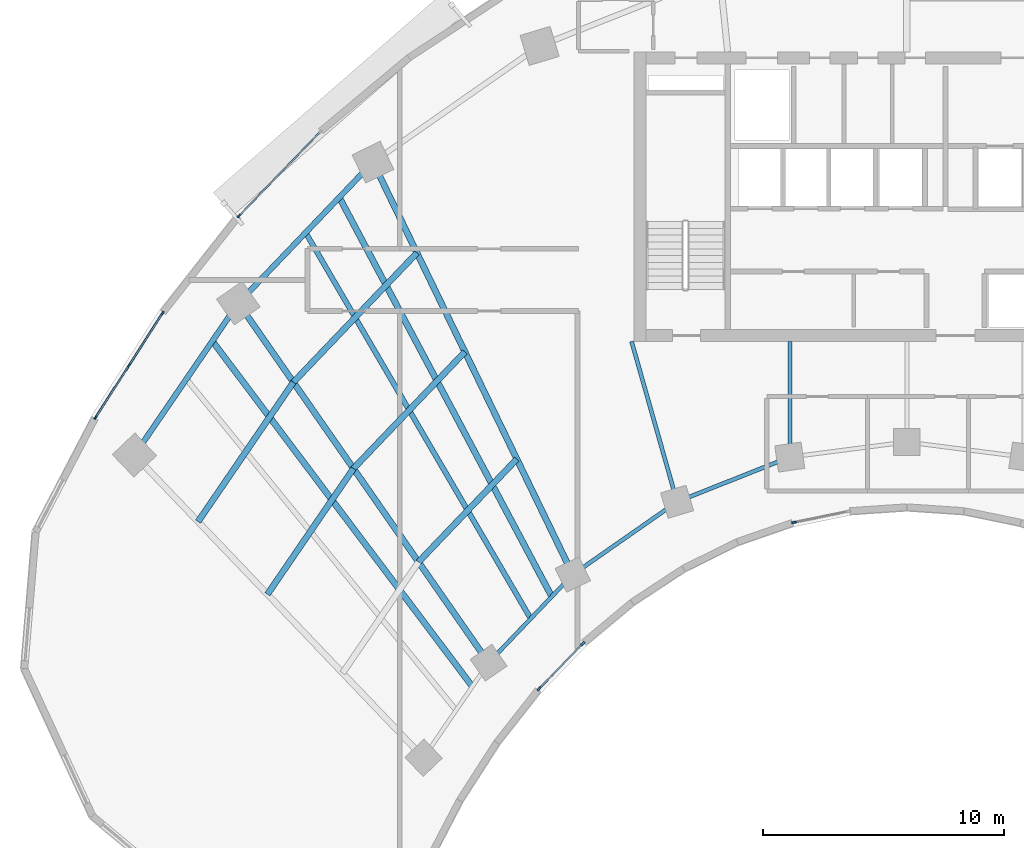
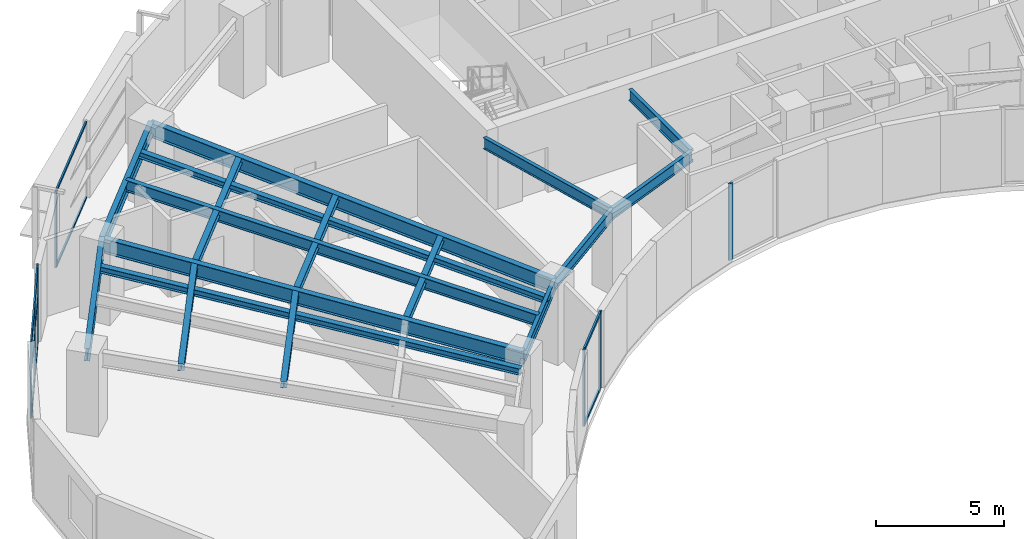
# One storey, part 2 of 14: 17 beams, 17 members, 4 elements without a shape of their own.
"""IFC4 building model written with IfcOpenShell, lengths in metres."""

from ifc_helpers import new_model, si_unit, direction, frame, origin, origin_2d, place, context, subcontext, project, spatial, rectangle, i_section, extrude, source, transform, mapped, material, layer, layer_set, material_profile, profile_set, type_object, type_shapes, element, aggregate, save


model = new_model("IFC4")

# Units and contexts
model_context = context("Model", 3, precision=1e-05, world=origin(), true_north=direction((0.0, 1.0)))
body_context = subcontext(model_context, "Body", "Model", "MODEL_VIEW")
ifc_project = project(units=[si_unit("LENGTHUNIT", "METRE"), si_unit("AREAUNIT", "SQUARE_METRE"), si_unit("VOLUMEUNIT", "CUBIC_METRE"), si_unit("PLANEANGLEUNIT", "RADIAN"), si_unit("MASSUNIT", "GRAM", prefix="KILO")], contexts=[model_context])

# Site, building, storey
site_placement = place(None, origin())
site = spatial("IfcSite", under=ifc_project, at=site_placement, CompositionType="ELEMENT")
building_placement = place(site_placement, origin())
building = spatial("IfcBuilding", under=site, at=building_placement, Name="Breltana Convention Tower", CompositionType="ELEMENT")
storey_placement = place(building_placement, frame((0.0, 0.0, 111.60009765625)))
storey = spatial("IfcBuildingStorey", under=building, at=storey_placement, Name="L26", CompositionType="ELEMENT", Elevation=111.60009765625)

# Beams
ifc_material_1 = material(Name="Steel ASTM A992 Grade 50", Category="steel")
ifc_material_profile_1 = material_profile(ifc_material_1, i_section(OverallWidth=0.25390625, OverallDepth=0.68798828125, WebThickness=0.01318359375, FlangeThickness=0.02099609375, at=origin_2d()), Name="W27X102")
ifc_profile_set_1 = profile_set([ifc_material_profile_1], Name="Steel ASTM A992 Grade 50")
beam_type_1 = type_object("IfcBeamType", Name="BM-RG-W27X102", PredefinedType="USERDEFINED", material=ifc_profile_set_1)
shared_shape_1 = source(origin(), body_context, "Body", "SweptSolid", [
    extrude(i_section(OverallWidth=0.25390625, OverallDepth=0.68798828125, WebThickness=0.01318359375, FlangeThickness=0.02099609375, at=origin_2d()), origin(), (0.0, 0.0, 1.0), 18.1484375),
])
beam_1_placement = place(storey_placement, frame((30.67724609375, 46.892333984375, 3.305908203125), z_axis=(-0.571207556098, 0.820805657788, 0.0), x_axis=(-0.820805657788, -0.571207556098, 0.0)))
element("IfcBeam", 1, at=beam_1_placement, inside=storey, type_object=beam_type_1, Name="L26 Radial Floor Girder R02", ObjectType="GIRDER", PredefinedType="USERDEFINED", context=body_context, shape_type="MappedRepresentation", body=[
    mapped(shared_shape_1, transform((0.0, 0.0, 0.0), scale=1.0)),
])
shared_shape_2 = source(origin(), body_context, "Body", "SweptSolid", [
    extrude(i_section(OverallWidth=0.25390625, OverallDepth=0.68798828125, WebThickness=0.01318359375, FlangeThickness=0.02099609375, at=origin_2d()), origin(), (0.0, 0.0, 1.0), 18.982421875),
])
beam_2_placement = place(storey_placement, frame((34.166259765625, 50.544921875, 3.305908203125), z_axis=(-0.436118560343, 0.89988921614, 0.0), x_axis=(-0.89988921614, -0.436118560343, 0.0)))
element("IfcBeam", 2, at=beam_2_placement, inside=storey, type_object=beam_type_1, Name="L26 Radial Floor Girder R03", ObjectType="GIRDER", PredefinedType="USERDEFINED", context=body_context, shape_type="MappedRepresentation", body=[
    mapped(shared_shape_2, transform((0.0, 0.0, 0.0), scale=1.0)),
])
ifc_material_profile_2 = material_profile(ifc_material_1, i_section(OverallWidth=0.166015625, OverallDepth=0.534912109375, WebThickness=0.01025390625, FlangeThickness=0.0166015625, at=origin_2d()), Name="W21X57")
ifc_profile_set_2 = profile_set([ifc_material_profile_2], Name="Steel ASTM A992 Grade 50")
beam_type_2 = type_object("IfcBeamType", Name="BM-BM-W21X57", PredefinedType="BEAM", material=ifc_profile_set_2)
shared_shape_3 = source(origin(), body_context, "Body", "SweptSolid", [
    extrude(i_section(OverallWidth=0.166015625, OverallDepth=0.534912109375, WebThickness=0.01025390625, FlangeThickness=0.0166015625, at=origin_2d()), origin(), (0.0, 0.0, 1.0), 6.904541015625),
])
type_shapes(beam_type_2, [shared_shape_3])
beam_3_placement = place(storey_placement, frame((36.60009765625, 60.199951171875, 3.38232421875), z_axis=(0.273006781054, -0.962012108811, 0.0), x_axis=(0.962012108811, 0.273006781054, 0.0)))
element("IfcBeam", 3, at=beam_3_placement, inside=storey, type_object=beam_type_2, Name="L26 South Core Tie Girder R04", PredefinedType="BEAM", context=body_context, shape_type="MappedRepresentation", body=[
    mapped(shared_shape_3, transform((0.0, 0.0, 0.0), scale=1.0)),
])
shared_shape_4 = source(origin(), body_context, "Body", "SweptSolid", [
    extrude(i_section(OverallWidth=0.166015625, OverallDepth=0.534912109375, WebThickness=0.01025390625, FlangeThickness=0.0166015625, at=origin_2d()), origin(), (0.0, 0.0, 1.0), 4.789306640625),
])
beam_4_placement = place(storey_placement, frame((43.153564453125, 60.199951171875, 3.38232421875), z_axis=(0.0, -1.0, 0.0), x_axis=(1.0, 0.0, 0.0)))
element("IfcBeam", 4, at=beam_4_placement, inside=storey, type_object=beam_type_2, Name="L26 South Core Tie Girder R05", PredefinedType="BEAM", context=body_context, shape_type="MappedRepresentation", body=[
    mapped(shared_shape_4, transform((0.0, 0.0, 0.0), scale=1.0)),
])
ifc_material_profile_3 = material_profile(ifc_material_1, i_section(OverallWidth=0.22802734375, OverallDepth=0.60791015625, WebThickness=0.01123046875, FlangeThickness=0.017333984375, at=origin_2d()), Name="W24X76")
ifc_profile_set_3 = profile_set([ifc_material_profile_3], Name="Steel ASTM A992 Grade 50")
beam_type_3 = type_object("IfcBeamType", Name="BM-SP-W24X76", PredefinedType="SPANDREL", material=ifc_profile_set_3)
shared_shape_5 = source(origin(), body_context, "Body", "SweptSolid", [
    extrude(i_section(OverallWidth=0.22802734375, OverallDepth=0.60791015625, WebThickness=0.01123046875, FlangeThickness=0.017333984375, at=origin_2d()), origin(), (0.0, 0.0, 1.0), 7.625),
])
type_shapes(beam_type_3, [shared_shape_5])
beam_5_placement = place(storey_placement, frame((16.0068359375, 55.494384765625, 3.345947265625), z_axis=(0.564452031902, 0.825465870694, 0.0), x_axis=(-0.825465870694, 0.564452031902, 0.0)))
element("IfcBeam", 5, at=beam_5_placement, inside=storey, type_object=beam_type_3, Name="L26 Outer Spandrel Beam 01", PredefinedType="SPANDREL", context=body_context, shape_type="MappedRepresentation", body=[
    mapped(shared_shape_5, transform((0.0, 0.0, 0.0), scale=1.0)),
])
shared_shape_6 = source(origin(), body_context, "Body", "SweptSolid", [
    extrude(i_section(OverallWidth=0.166015625, OverallDepth=0.534912109375, WebThickness=0.01025390625, FlangeThickness=0.0166015625, at=origin_2d()), origin(), (0.0, 0.0, 1.0), 5.05126953125),
])
beam_6_placement = place(storey_placement, frame((30.67724609375, 46.892333984375, 3.38232421875), z_axis=(0.690729753845, 0.7231129975, 0.0), x_axis=(-0.7231129975, 0.690729753845, 0.0)))
element("IfcBeam", 6, at=beam_6_placement, inside=storey, type_object=beam_type_2, Name="L26 Inner Ring Beam 02", PredefinedType="BEAM", context=body_context, shape_type="MappedRepresentation", body=[
    mapped(shared_shape_6, transform((0.0, 0.0, 0.0), scale=1.0)),
])
shared_shape_7 = source(origin(), body_context, "Body", "SweptSolid", [
    extrude(i_section(OverallWidth=0.22802734375, OverallDepth=0.60791015625, WebThickness=0.01123046875, FlangeThickness=0.017333984375, at=origin_2d()), origin(), (0.0, 0.0, 1.0), 8.073974609375),
])
beam_7_placement = place(storey_placement, frame((20.310791015625, 61.78857421875, 3.345947265625), z_axis=(0.69072885448, 0.723113856588, 0.0), x_axis=(-0.723113856588, 0.69072885448, 0.0)))
element("IfcBeam", 7, at=beam_7_placement, inside=storey, type_object=beam_type_3, Name="L26 Outer Spandrel Beam 02", PredefinedType="SPANDREL", context=body_context, shape_type="MappedRepresentation", body=[
    mapped(shared_shape_7, transform((0.0, 0.0, 0.0), scale=1.0)),
])
shared_shape_8 = source(origin(), body_context, "Body", "SweptSolid", [
    extrude(i_section(OverallWidth=0.166015625, OverallDepth=0.534912109375, WebThickness=0.01025390625, FlangeThickness=0.0166015625, at=origin_2d()), origin(), (0.0, 0.0, 1.0), 5.265869140625),
])
beam_8_placement = place(storey_placement, frame((34.166259765625, 50.544921875, 3.38232421875), z_axis=(0.820167429517, 0.572123577176, 0.0), x_axis=(-0.572123577176, 0.820167429517, 0.0)))
element("IfcBeam", 8, at=beam_8_placement, inside=storey, type_object=beam_type_2, Name="L26 Inner Ring Beam 03", PredefinedType="BEAM", context=body_context, shape_type="MappedRepresentation", body=[
    mapped(shared_shape_8, transform((0.0, 0.0, 0.0), scale=1.0)),
])
shared_shape_9 = source(origin(), body_context, "Body", "SweptSolid", [
    extrude(i_section(OverallWidth=0.166015625, OverallDepth=0.534912109375, WebThickness=0.01025390625, FlangeThickness=0.0166015625, at=origin_2d()), origin(), (0.0, 0.0, 1.0), 5.022705078125),
])
beam_9_placement = place(storey_placement, frame((38.485107421875, 53.5576171875, 3.38232421875), z_axis=(0.929458966248, 0.368925507469, 0.0), x_axis=(-0.368925507469, 0.929458966248, 0.0)))
element("IfcBeam", 9, at=beam_9_placement, inside=storey, type_object=beam_type_2, Name="L26 Inner Ring Beam 04", PredefinedType="BEAM", context=body_context, shape_type="MappedRepresentation", body=[
    mapped(shared_shape_9, transform((0.0, 0.0, 0.0), scale=1.0)),
])
ifc_material_profile_4 = material_profile(ifc_material_1, i_section(OverallWidth=0.25390625, OverallDepth=0.305908203125, WebThickness=0.0087890625, FlangeThickness=0.0146484375, at=origin_2d()), Name="W12X53")
ifc_profile_set_4 = profile_set([ifc_material_profile_4], Name="Steel ASTM A992 Grade 50")
beam_type_4 = type_object("IfcBeamType", Name="BM-JSG-10", PredefinedType="JOIST", material=ifc_profile_set_4)
shared_shape_10 = source(origin(), body_context, "Body", "SweptSolid", [
    extrude(i_section(OverallWidth=0.25390625, OverallDepth=0.305908203125, WebThickness=0.0087890625, FlangeThickness=0.0146484375, at=origin_2d()), origin(), (0.0, 0.0, 1.0), 6.311767578125),
])
beam_10_placement = place(storey_placement, frame((21.5166015625, 49.72607421875, 3.496826171875), z_axis=(0.564453712577, 0.825464721449, 0.0), x_axis=(-0.825464721449, 0.564453712577, 0.0)))
element("IfcBeam", 10, at=beam_10_placement, inside=storey, type_object=beam_type_4, Name="L26 Composite Floor Joist 01.2", PredefinedType="JOIST", context=body_context, shape_type="MappedRepresentation", body=[
    mapped(shared_shape_10, transform((0.0, 0.0, 0.0), scale=1.0)),
])
shared_shape_11 = source(origin(), body_context, "Body", "SweptSolid", [
    extrude(i_section(OverallWidth=0.25390625, OverallDepth=0.305908203125, WebThickness=0.0087890625, FlangeThickness=0.0146484375, at=origin_2d()), origin(), (0.0, 0.0, 1.0), 6.997314453125),
])
beam_11_placement = place(storey_placement, frame((18.641845703125, 52.735595703125, 3.496826171875), z_axis=(0.564468756361, 0.825454434292, 0.0), x_axis=(-0.825454434292, 0.564468756361, 0.0)))
element("IfcBeam", 11, at=beam_11_placement, inside=storey, type_object=beam_type_4, Name="L26 Composite Floor Joist 01.3", PredefinedType="JOIST", context=body_context, shape_type="MappedRepresentation", body=[
    mapped(shared_shape_11, transform((0.0, 0.0, 0.0), scale=1.0)),
])
shared_shape_12 = source(origin(), body_context, "Body", "SweptSolid", [
    extrude(i_section(OverallWidth=0.25390625, OverallDepth=0.305908203125, WebThickness=0.0087890625, FlangeThickness=0.0146484375, at=origin_2d()), origin(), (0.0, 0.0, 1.0), 17.9072265625),
])
beam_12_placement = place(storey_placement, frame((30.00390625, 45.907958984375, 3.496826171875), z_axis=(-0.601382105028, 0.798961553363, 0.0), x_axis=(-0.798961553363, -0.601382105028, 0.0)))
element("IfcBeam", 12, at=beam_12_placement, inside=storey, type_object=beam_type_4, Name="L26 Quarter-Bay Radial Trimmer 01", PredefinedType="JOIST", context=body_context, shape_type="MappedRepresentation", body=[
    mapped(shared_shape_12, transform((0.0, 0.0, 0.0), scale=1.0)),
])
shared_shape_13 = source(origin(), body_context, "Body", "SweptSolid", [
    extrude(i_section(OverallWidth=0.25390625, OverallDepth=0.305908203125, WebThickness=0.0087890625, FlangeThickness=0.0146484375, at=origin_2d()), origin(), (0.0, 0.0, 1.0), 5.8974609375),
])
beam_13_placement = place(storey_placement, frame((27.774658203125, 51.063232421875, 3.496826171875), z_axis=(0.690713978666, 0.723128065888, 0.0), x_axis=(-0.723128065888, 0.690713978666, 0.0)))
element("IfcBeam", 13, at=beam_13_placement, inside=storey, type_object=beam_type_4, Name="L26 Composite Floor Joist 02.1", PredefinedType="JOIST", context=body_context, shape_type="MappedRepresentation", body=[
    mapped(shared_shape_13, transform((0.0, 0.0, 0.0), scale=1.0)),
])
shared_shape_14 = source(origin(), body_context, "Body", "SweptSolid", [
    extrude(i_section(OverallWidth=0.25390625, OverallDepth=0.305908203125, WebThickness=0.0087890625, FlangeThickness=0.0146484375, at=origin_2d()), origin(), (0.0, 0.0, 1.0), 6.68359375),
])
beam_14_placement = place(storey_placement, frame((25.079345703125, 54.936279296875, 3.496826171875), z_axis=(0.690720705885, 0.723121640156, 0.0), x_axis=(-0.723121640156, 0.690720705885, 0.0)))
element("IfcBeam", 14, at=beam_14_placement, inside=storey, type_object=beam_type_4, Name="L26 Composite Floor Joist 02.2", PredefinedType="JOIST", context=body_context, shape_type="MappedRepresentation", body=[
    mapped(shared_shape_14, transform((0.0, 0.0, 0.0), scale=1.0)),
])
shared_shape_15 = source(origin(), body_context, "Body", "SweptSolid", [
    extrude(i_section(OverallWidth=0.25390625, OverallDepth=0.305908203125, WebThickness=0.0087890625, FlangeThickness=0.0146484375, at=origin_2d()), origin(), (0.0, 0.0, 1.0), 7.40869140625),
])
beam_15_placement = place(storey_placement, frame((22.591552734375, 58.511474609375, 3.496826171875), z_axis=(0.690724936208, 0.723117599358, 0.0), x_axis=(-0.723117599358, 0.690724936208, 0.0)))
element("IfcBeam", 15, at=beam_15_placement, inside=storey, type_object=beam_type_4, Name="L26 Composite Floor Joist 02.3", PredefinedType="JOIST", context=body_context, shape_type="MappedRepresentation", body=[
    mapped(shared_shape_15, transform((0.0, 0.0, 0.0), scale=1.0)),
])
ifc_material_profile_5 = material_profile(ifc_material_1, i_section(OverallWidth=0.214111328125, OverallDepth=0.549072265625, WebThickness=0.0146484375, FlangeThickness=0.023681640625, at=origin_2d()), Name="W21X93")
ifc_profile_set_5 = profile_set([ifc_material_profile_5], Name="Steel ASTM A992 Grade 50")
beam_type_5 = type_object("IfcBeamType", Name="BM-JSG-03", PredefinedType="JOIST", material=ifc_profile_set_5)
shared_shape_16 = source(origin(), body_context, "Body", "SweptSolid", [
    extrude(i_section(OverallWidth=0.214111328125, OverallDepth=0.549072265625, WebThickness=0.0146484375, FlangeThickness=0.023681640625, at=origin_2d()), origin(), (0.0, 0.0, 1.0), 18.50830078125),
])
beam_16_placement = place(storey_placement, frame((32.421630859375, 48.71875, 3.37548828125), z_axis=(-0.50368319637, 0.863888440537, 0.0), x_axis=(-0.863888440537, -0.50368319637, 0.0)))
element("IfcBeam", 16, at=beam_16_placement, inside=storey, type_object=beam_type_5, Name="L26 Mid-Bay Radial Trimmer 02", PredefinedType="JOIST", context=body_context, shape_type="MappedRepresentation", body=[
    mapped(shared_shape_16, transform((0.0, 0.0, 0.0), scale=1.0)),
])
shared_shape_17 = source(origin(), body_context, "Body", "SweptSolid", [
    extrude(i_section(OverallWidth=0.25390625, OverallDepth=0.305908203125, WebThickness=0.0087890625, FlangeThickness=0.0146484375, at=origin_2d()), origin(), (0.0, 0.0, 1.0), 18.731689453125),
])
beam_17_placement = place(storey_placement, frame((33.2939453125, 49.6318359375, 3.496826171875), z_axis=(-0.469820250451, 0.882762104004, 0.0), x_axis=(-0.882762104004, -0.469820250451, 0.0)))
element("IfcBeam", 17, at=beam_17_placement, inside=storey, type_object=beam_type_4, Name="L26 Quarter-Bay Radial Trimmer 02", PredefinedType="JOIST", context=body_context, shape_type="MappedRepresentation", body=[
    mapped(shared_shape_17, transform((0.0, 0.0, 0.0), scale=1.0)),
])

# Curtain wall, members
ifc_material_2 = material(Name="Aluminium Anodised Bronze Frame", Category="aluminium")
ifc_layer_1 = layer(ifc_material_2, 0.18994140625, Name="Aluminium Anodised Bronze Frame")
ifc_layer_set_1 = layer_set([ifc_layer_1], Name="Aluminium Anodised Bronze Frame")
curtain_wall_type_1 = type_object("IfcCurtainWallType", Name="CW-SYS-1", PredefinedType="NOTDEFINED", material=ifc_layer_set_1)
curtain_wall_1_placement = place(storey_placement, origin())
curtain_wall_1 = element("IfcCurtainWall", 18, at=curtain_wall_1_placement, inside=storey, type_object=curtain_wall_type_1, Name="L26 inner south-court glazing 5", PredefinedType="NOTDEFINED")
ifc_material_3 = material(Name="Aluminium Anodised Bronze", Category="aluminium")
ifc_material_profile_6 = material_profile(ifc_material_3, rectangle(XDim=0.080078125, YDim=0.139892578125, at=origin_2d()), Name="CWT-80X140")
ifc_profile_set_6 = profile_set([ifc_material_profile_6], Name="Aluminium Anodised Bronze")
member_type_1 = type_object("IfcMemberType", Name="CWT-140", PredefinedType="USERDEFINED", material=ifc_profile_set_6)
shared_shape_18 = source(origin(), body_context, "Body", "SweptSolid", [
    extrude(rectangle(XDim=0.080078125, YDim=0.139892578125, at=origin_2d()), origin(), (0.0, 0.0, 1.0), 2.519775390625),
])
member_1_placement = place(storey_placement, frame((34.5458984375, 47.650390625, 0.039794921875), z_axis=(-0.694596242791, -0.719399791146, 0.0), x_axis=(0.719399791146, -0.694596242791, 0.0)))
member_1 = element("IfcMember", 19, at=member_1_placement, type_object=member_type_1, Name="CW-01 transom 1.1", ObjectType="TRANSOM", PredefinedType="USERDEFINED", context=body_context, shape_type="MappedRepresentation", body=[
    mapped(shared_shape_18, transform((0.0, 0.0, 0.0), scale=1.0)),
])
member_2_placement = place(storey_placement, frame((34.5458984375, 47.650390625, 3.60986328125), z_axis=(-0.694596242791, -0.719399791146, 0.0), x_axis=(0.719399791146, -0.694596242791, 0.0)))
member_2 = element("IfcMember", 20, at=member_2_placement, type_object=member_type_1, Name="CW-01 transom 1.2", ObjectType="TRANSOM", PredefinedType="USERDEFINED", context=body_context, shape_type="MappedRepresentation", body=[
    mapped(shared_shape_18, transform((0.0, 0.0, 0.0), scale=1.0)),
])

# Curtain wall, member
curtain_wall_2_placement = place(storey_placement, origin())
curtain_wall_2 = element("IfcCurtainWall", 21, at=curtain_wall_2_placement, inside=storey, type_object=curtain_wall_type_1, Name="L26 inner south-court glazing 4", PredefinedType="NOTDEFINED")
ifc_material_profile_7 = material_profile(ifc_material_3, rectangle(XDim=0.080078125, YDim=0.199951171875, at=origin_2d()), Name="CWM-80X200")
ifc_profile_set_7 = profile_set([ifc_material_profile_7], Name="Aluminium Anodised Bronze")
member_type_2 = type_object("IfcMemberType", Name="CWM-200", PredefinedType="MULLION", material=ifc_profile_set_7)
shared_shape_19 = source(origin(), body_context, "Body", "SweptSolid", [
    extrude(rectangle(XDim=0.080078125, YDim=0.199951171875, at=origin_2d()), origin(), (0.0, 0.0, 1.0), 3.64990234375),
])
member_3_placement = place(storey_placement, frame((43.327880859375, 52.703125, 0.0), z_axis=(0.0, 0.0, 1.0), x_axis=(0.200852929183, -0.979621406891, 0.0)))
member_3 = element("IfcMember", 22, at=member_3_placement, type_object=member_type_2, Name="CW-01 mullion 2", PredefinedType="MULLION", context=body_context, shape_type="MappedRepresentation", body=[
    mapped(shared_shape_19, transform((0.0, 0.0, 0.0), scale=1.0)),
])
aggregate(curtain_wall_2, [member_3])

# Member
member_4_placement = place(storey_placement, frame((34.57373046875, 47.67919921875, 0.0), z_axis=(0.0, 0.0, 1.0), x_axis=(0.719387314642, -0.694609164589, 0.0)))
member_4 = element("IfcMember", 23, at=member_4_placement, type_object=member_type_2, Name="CW-01 mullion 1", PredefinedType="MULLION", context=body_context, shape_type="MappedRepresentation", body=[
    mapped(shared_shape_19, transform((0.0, 0.0, 0.0), scale=1.0)),
])

member_5_placement = place(storey_placement, frame((32.767822265625, 45.808837890625, 0.0), z_axis=(0.0, 0.0, 1.0), x_axis=(0.719387314642, -0.694609164589, 0.0)))
member_5 = element("IfcMember", 24, at=member_5_placement, type_object=member_type_2, Name="CW-01 mullion 2", PredefinedType="MULLION", context=body_context, shape_type="MappedRepresentation", body=[
    mapped(shared_shape_19, transform((0.0, 0.0, 0.0), scale=1.0)),
])

aggregate(curtain_wall_1, [member_4, member_5, member_1, member_2])

# Curtain wall, members
ifc_layer_2 = layer(ifc_material_2, 0.22998046875, Name="Aluminium Anodised Bronze Frame")
ifc_layer_set_2 = layer_set([ifc_layer_2], Name="Aluminium Anodised Bronze Frame")
curtain_wall_type_2 = type_object("IfcCurtainWallType", Name="CW-SYS-5", PredefinedType="NOTDEFINED", material=ifc_layer_set_2)
curtain_wall_3_placement = place(storey_placement, origin())
curtain_wall_3 = element("IfcCurtainWall", 25, at=curtain_wall_3_placement, inside=storey, type_object=curtain_wall_type_2, Name="L26 outer double-skin inner glazing 1", PredefinedType="NOTDEFINED")
ifc_material_profile_8 = material_profile(ifc_material_3, rectangle(XDim=0.070068359375, YDim=0.175048828125, at=origin_2d()), Name="CWM-70X175")
ifc_profile_set_8 = profile_set([ifc_material_profile_8], Name="Aluminium Anodised Bronze")
member_type_3 = type_object("IfcMemberType", Name="CWM-175", PredefinedType="MULLION", material=ifc_profile_set_8)
shared_shape_20 = source(origin(), body_context, "Body", "SweptSolid", [
    extrude(rectangle(XDim=0.070068359375, YDim=0.175048828125, at=origin_2d()), origin(), (0.0, 0.0, 1.0), 3.64990234375),
])
member_6_placement = place(storey_placement, frame((14.395751953125, 57.049560546875, 0.0), z_axis=(0.0, 0.0, 1.0), x_axis=(-0.84155155167, 0.540176809834, 0.0)))
member_6 = element("IfcMember", 26, at=member_6_placement, type_object=member_type_3, Name="CW-05 mullion 1", PredefinedType="MULLION", context=body_context, shape_type="MappedRepresentation", body=[
    mapped(shared_shape_20, transform((0.0, 0.0, 0.0), scale=1.0)),
])
member_7_placement = place(storey_placement, frame((15.78271484375, 59.210205078125, 0.0), z_axis=(0.0, 0.0, 1.0), x_axis=(-0.84155155167, 0.540176809834, 0.0)))
member_7 = element("IfcMember", 27, at=member_7_placement, type_object=member_type_3, Name="CW-05 mullion 2", PredefinedType="MULLION", context=body_context, shape_type="MappedRepresentation", body=[
    mapped(shared_shape_20, transform((0.0, 0.0, 0.0), scale=1.0)),
])
member_8_placement = place(storey_placement, frame((17.169677734375, 61.370849609375, 0.0), z_axis=(0.0, 0.0, 1.0), x_axis=(-0.84155155167, 0.540176809834, 0.0)))
member_8 = element("IfcMember", 28, at=member_8_placement, type_object=member_type_3, Name="CW-05 mullion 3", PredefinedType="MULLION", context=body_context, shape_type="MappedRepresentation", body=[
    mapped(shared_shape_20, transform((0.0, 0.0, 0.0), scale=1.0)),
])

# Curtain wall, member
curtain_wall_4_placement = place(storey_placement, origin())
curtain_wall_4 = element("IfcCurtainWall", 29, at=curtain_wall_4_placement, inside=storey, type_object=curtain_wall_type_2, Name="L26 outer double-skin inner glazing 2", PredefinedType="NOTDEFINED")
member_9_placement = place(storey_placement, frame((20.339599609375, 65.401611328125, 0.0), z_axis=(0.0, 0.0, 1.0), x_axis=(-0.719384961558, 0.694611601605, 0.0)))
member_9 = element("IfcMember", 30, at=member_9_placement, type_object=member_type_3, Name="CW-05 mullion 1", PredefinedType="MULLION", context=body_context, shape_type="MappedRepresentation", body=[
    mapped(shared_shape_20, transform((0.0, 0.0, 0.0), scale=1.0)),
])

# Member
ifc_material_profile_9 = material_profile(ifc_material_3, rectangle(XDim=0.070068359375, YDim=0.1201171875, at=origin_2d()), Name="CWT-70X120")
ifc_profile_set_9 = profile_set([ifc_material_profile_9], Name="Aluminium Anodised Bronze")
member_type_4 = type_object("IfcMemberType", Name="CWT-120", PredefinedType="USERDEFINED", material=ifc_profile_set_9)
shared_shape_21 = source(origin(), body_context, "Body", "SweptSolid", [
    extrude(rectangle(XDim=0.070068359375, YDim=0.1201171875, at=origin_2d()), origin(), (0.0, 0.0, 1.0), 2.49755859375),
])
member_10_placement = place(storey_placement, frame((14.41455078125, 57.078857421875, 0.034912109375), z_axis=(0.540179419124, 0.841549876808, 0.0), x_axis=(-0.841549876808, 0.540179419124, 0.0)))
member_10 = element("IfcMember", 31, at=member_10_placement, type_object=member_type_4, Name="CW-05 transom 1.1", ObjectType="TRANSOM", PredefinedType="USERDEFINED", context=body_context, shape_type="MappedRepresentation", body=[
    mapped(shared_shape_21, transform((0.0, 0.0, 0.0), scale=1.0)),
])

member_11_placement = place(storey_placement, frame((14.41455078125, 57.078857421875, 2.372314453125), z_axis=(0.540179419124, 0.841549876808, 0.0), x_axis=(-0.841549876808, 0.540179419124, 0.0)))
member_11 = element("IfcMember", 32, at=member_11_placement, type_object=member_type_4, Name="CW-05 transom 1.2", ObjectType="TRANSOM", PredefinedType="USERDEFINED", context=body_context, shape_type="MappedRepresentation", body=[
    mapped(shared_shape_21, transform((0.0, 0.0, 0.0), scale=1.0)),
])

member_12_placement = place(storey_placement, frame((14.41455078125, 57.078857421875, 3.614990234375), z_axis=(0.540179419124, 0.841549876808, 0.0), x_axis=(-0.841549876808, 0.540179419124, 0.0)))
member_12 = element("IfcMember", 33, at=member_12_placement, type_object=member_type_4, Name="CW-05 transom 1.3", ObjectType="TRANSOM", PredefinedType="USERDEFINED", context=body_context, shape_type="MappedRepresentation", body=[
    mapped(shared_shape_21, transform((0.0, 0.0, 0.0), scale=1.0)),
])

member_13_placement = place(storey_placement, frame((15.801513671875, 59.23974609375, 0.034912109375), z_axis=(0.540179419124, 0.841549876808, 0.0), x_axis=(-0.841549876808, 0.540179419124, 0.0)))
member_13 = element("IfcMember", 34, at=member_13_placement, type_object=member_type_4, Name="CW-05 transom 2.1", ObjectType="TRANSOM", PredefinedType="USERDEFINED", context=body_context, shape_type="MappedRepresentation", body=[
    mapped(shared_shape_21, transform((0.0, 0.0, 0.0), scale=1.0)),
])

member_14_placement = place(storey_placement, frame((15.801513671875, 59.23974609375, 2.372314453125), z_axis=(0.540179419124, 0.841549876808, 0.0), x_axis=(-0.841549876808, 0.540179419124, 0.0)))
member_14 = element("IfcMember", 35, at=member_14_placement, type_object=member_type_4, Name="CW-05 transom 2.2", ObjectType="TRANSOM", PredefinedType="USERDEFINED", context=body_context, shape_type="MappedRepresentation", body=[
    mapped(shared_shape_21, transform((0.0, 0.0, 0.0), scale=1.0)),
])

member_15_placement = place(storey_placement, frame((15.801513671875, 59.23974609375, 3.614990234375), z_axis=(0.540179419124, 0.841549876808, 0.0), x_axis=(-0.841549876808, 0.540179419124, 0.0)))
member_15 = element("IfcMember", 36, at=member_15_placement, type_object=member_type_4, Name="CW-05 transom 2.3", ObjectType="TRANSOM", PredefinedType="USERDEFINED", context=body_context, shape_type="MappedRepresentation", body=[
    mapped(shared_shape_21, transform((0.0, 0.0, 0.0), scale=1.0)),
])

aggregate(curtain_wall_3, [member_6, member_7, member_8, member_10, member_11, member_12, member_13, member_14, member_15])

shared_shape_22 = source(origin(), body_context, "Body", "SweptSolid", [
    extrude(rectangle(XDim=0.070068359375, YDim=0.1201171875, at=origin_2d()), origin(), (0.0, 0.0, 1.0), 4.7685546875),
])
member_16_placement = place(storey_placement, frame((20.36376953125, 65.4267578125, 0.034912109375), z_axis=(0.694608218982, 0.719388227679, 0.0), x_axis=(-0.719388227679, 0.694608218982, 0.0)))
member_16 = element("IfcMember", 37, at=member_16_placement, type_object=member_type_4, Name="CW-05 transom 1.1", ObjectType="TRANSOM", PredefinedType="USERDEFINED", context=body_context, shape_type="MappedRepresentation", body=[
    mapped(shared_shape_22, transform((0.0, 0.0, 0.0), scale=1.0)),
])

member_17_placement = place(storey_placement, frame((20.36376953125, 65.4267578125, 3.614990234375), z_axis=(0.694608218982, 0.719388227679, 0.0), x_axis=(-0.719388227679, 0.694608218982, 0.0)))
member_17 = element("IfcMember", 38, at=member_17_placement, type_object=member_type_4, Name="CW-05 transom 1.2", ObjectType="TRANSOM", PredefinedType="USERDEFINED", context=body_context, shape_type="MappedRepresentation", body=[
    mapped(shared_shape_22, transform((0.0, 0.0, 0.0), scale=1.0)),
])

aggregate(curtain_wall_4, [member_9, member_16, member_17])

save(model, "model.ifc")
